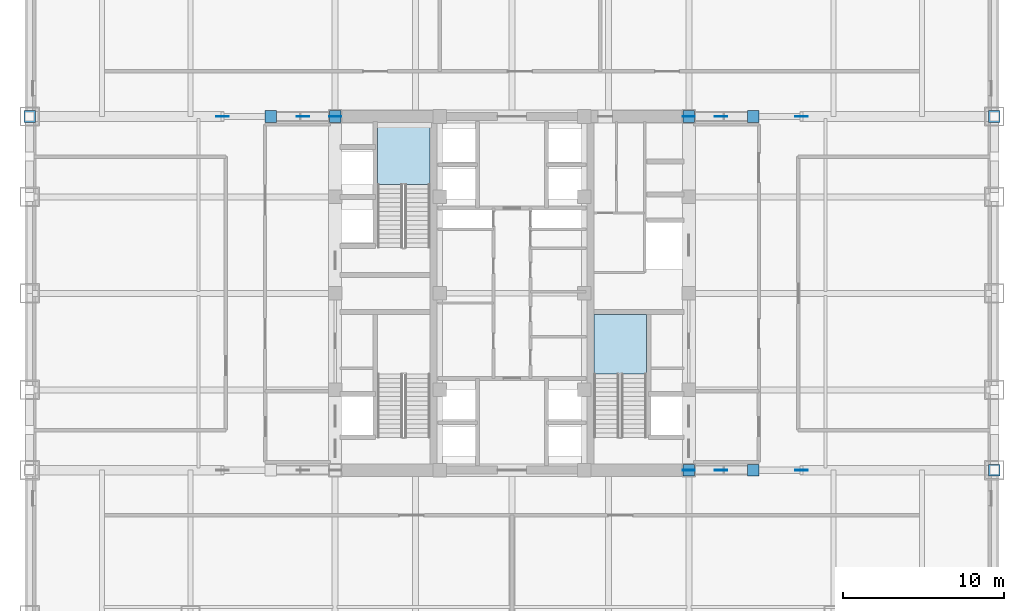
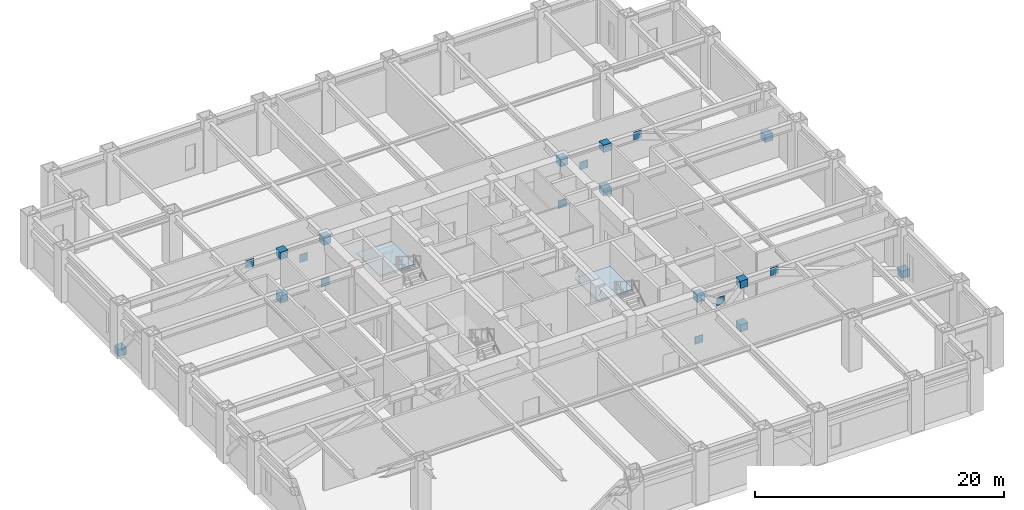
# One storey, part 5 of 12: 21 plates, 2 slabs, 2 elements without a shape of their own.
"""IFC4 building model written with IfcOpenShell, lengths in metres."""

import ifcopenshell
import ifcopenshell.guid

model = None  # the IFC model being written
_history = None  # IfcOwnerHistory: only IFC2X3 demands one
_inside = {}  # id of a spatial element -> (the spatial element, [elements in it])
_under = {}  # id of a project, library or spatial element -> (it, [spatial elements below it])
_declared = {}  # id of a project -> (the project, [libraries it declares])
_typed = {}  # id of a type object -> (the type object, [elements of that type])
_made_of = {}  # id of a material, layer set ... -> (it, [elements and type objects made of it])


def new_model(schema):
    """Start an empty IFC model of exactly this schema.

    Asked for "IFC4X3", IfcOpenShell would pick the latest addendum, in which some entities
    have other attributes; the version numbers below select the first issue.
    IFC2X3 requires an IfcOwnerHistory on every rooted entity: one is made here for all.
    """
    global model, _history
    if schema == "IFC4X3":
        model = ifcopenshell.file(schema_version=(4, 3, 0, 0))
    else:
        model = ifcopenshell.file(schema=schema)
    _inside.clear()
    _under.clear()
    _declared.clear()
    _typed.clear()
    _made_of.clear()
    _history = None
    if model.schema == "IFC2X3":
        org = make("IfcOrganization", Name="unknown")
        user = make(
            "IfcPersonAndOrganization",
            ThePerson=make("IfcPerson", FamilyName="unknown"),
            TheOrganization=org,
        )
        app = make(
            "IfcApplication",
            ApplicationDeveloper=org,
            Version="unknown",
            ApplicationFullName="unknown",
            ApplicationIdentifier="unknown",
        )
        _history = make(
            "IfcOwnerHistory",
            OwningUser=user,
            OwningApplication=app,
            ChangeAction="ADDED",
            CreationDate=0,
        )
    return model


def make(cls, **values):
    """One entity of the class cls with the attributes given. An attribute that is None is left unset."""
    return model.create_entity(
        cls, **{name: value for name, value in values.items() if value is not None}
    )


def rooted(cls, **values):
    """An entity with a GlobalId (a new one), such as an element, a storey or a relation."""
    return make(cls, GlobalId=ifcopenshell.guid.new(), OwnerHistory=_history, **values)


def si_unit(unit_type, name, prefix=None):
    """IfcSIUnit, for example si_unit("LENGTHUNIT", "METRE", prefix="MILLI")."""
    return make("IfcSIUnit", UnitType=unit_type, Prefix=prefix, Name=name)


def assignment(units):
    """IfcUnitAssignment: the units of a project."""
    return None if units is None else make("IfcUnitAssignment", Units=units)


def point(xyz):
    """IfcCartesianPoint."""
    return None if xyz is None else make("IfcCartesianPoint", Coordinates=xyz)


def direction(xyz):
    """IfcDirection."""
    return None if xyz is None else make("IfcDirection", DirectionRatios=xyz)


def frame(location, z_axis=None, x_axis=None):
    """IfcAxis2Placement3D, a coordinate frame: its origin and axes. An axis left out is left unset."""
    return make(
        "IfcAxis2Placement3D",
        Location=point(location),
        Axis=direction(z_axis),
        RefDirection=direction(x_axis),
    )


def frame_2d(location, x_axis=None):
    """IfcAxis2Placement2D, a coordinate frame in the plane: its origin and x axis."""
    return make(
        "IfcAxis2Placement2D", Location=point(location), RefDirection=direction(x_axis)
    )


def origin():
    """The frame at (0, 0, 0) with its axes left unset."""
    return frame((0.0, 0.0, 0.0))


def origin_2d():
    """The frame at (0, 0) in the plane with its x axis left unset."""
    return frame_2d((0.0, 0.0))


def place(relative_to, where):
    """IfcLocalPlacement: puts the frame where relative to a parent placement (None: the world)."""
    return make(
        "IfcLocalPlacement", PlacementRelTo=relative_to, RelativePlacement=where
    )


def context(
    kind, dimensions, precision=None, world=None, true_north=None, identifier=None
):
    """IfcGeometricRepresentationContext, for example the 3D "Model" context."""
    return make(
        "IfcGeometricRepresentationContext",
        ContextIdentifier=identifier,
        ContextType=kind,
        CoordinateSpaceDimension=dimensions,
        Precision=precision,
        WorldCoordinateSystem=world,
        TrueNorth=true_north,
    )


def subcontext(parent, identifier, kind, view, scale=None):
    """IfcGeometricRepresentationSubContext, for example "Body" below "Model"."""
    return make(
        "IfcGeometricRepresentationSubContext",
        ContextIdentifier=identifier,
        ContextType=kind,
        ParentContext=parent,
        TargetScale=scale,
        TargetView=view,
    )


def project(units=None, contexts=None):
    """IfcProject with its units and contexts."""
    return rooted(
        "IfcProject",
        Name="project",
        RepresentationContexts=contexts,
        UnitsInContext=assignment(units),
    )


def spatial(cls, under=None, at=None, **own):
    """A site, building, storey or space (cls), placed at a placement, below another one or the project."""
    s = rooted(cls, ObjectPlacement=at, **own)
    if under is not None:
        _under.setdefault(under.id(), (under, []))[1].append(s)
    return s


def polyline(points):
    """IfcPolyline through the points."""
    return make("IfcPolyline", Points=[point(p) for p in points])


def profile(cls, at=None, kind="AREA", **sizes):
    """A parametric profile (cls). Its sizes go by their IFC names, for example OverallWidth=200.0."""
    return make(cls, ProfileType=kind, Position=at, **sizes)


def rectangle(**sizes):
    """IfcRectangleProfileDef."""
    return profile("IfcRectangleProfileDef", **sizes)


def outline(outer, holes=None, kind="AREA"):
    """IfcArbitraryClosedProfileDef: a profile drawn as a closed curve; with holes, ...WithVoids."""
    if holes is None:
        return make("IfcArbitraryClosedProfileDef", ProfileType=kind, OuterCurve=outer)
    return make(
        "IfcArbitraryProfileDefWithVoids",
        ProfileType=kind,
        OuterCurve=outer,
        InnerCurves=holes,
    )


def extrude(swept, where, along, depth):
    """IfcExtrudedAreaSolid: the profile swept, set in the frame where, extruded along a direction by depth."""
    return make(
        "IfcExtrudedAreaSolid",
        SweptArea=swept,
        Position=where,
        ExtrudedDirection=direction(along),
        Depth=depth,
    )


def shape(context_of_items, identifier, shape_type, items):
    """IfcShapeRepresentation: the items that make up one representation, for example the "Body"."""
    return make(
        "IfcShapeRepresentation",
        ContextOfItems=context_of_items,
        RepresentationIdentifier=identifier,
        RepresentationType=shape_type,
        Items=items,
    )


def source(mapping_origin, context_of_items, identifier, shape_type, items):
    """IfcRepresentationMap: a shape defined once, which mapped items show again and again."""
    return make(
        "IfcRepresentationMap",
        MappingOrigin=mapping_origin,
        MappedRepresentation=shape(context_of_items, identifier, shape_type, items),
    )


def transform(
    local_origin,
    x_axis=None,
    y_axis=None,
    z_axis=None,
    scale=None,
    scale2=None,
    scale3=None,
    uniform=True,
):
    """IfcCartesianTransformationOperator3D, or its non-uniform kind. x_axis, y_axis, z_axis: its Axis1, 2, 3."""
    if uniform:
        return make(
            "IfcCartesianTransformationOperator3D",
            Axis1=direction(x_axis),
            Axis2=direction(y_axis),
            LocalOrigin=point(local_origin),
            Scale=scale,
            Axis3=direction(z_axis),
        )
    return make(
        "IfcCartesianTransformationOperator3DnonUniform",
        Axis1=direction(x_axis),
        Axis2=direction(y_axis),
        LocalOrigin=point(local_origin),
        Scale=scale,
        Axis3=direction(z_axis),
        Scale2=scale2,
        Scale3=scale3,
    )


def mapped(mapping_source, mapping_target):
    """IfcMappedItem: shows the shape of a source again, moved by a transform."""
    return make(
        "IfcMappedItem", MappingSource=mapping_source, MappingTarget=mapping_target
    )


def material(Name=None, Category=None):
    """IfcMaterial."""
    return make("IfcMaterial", Name=Name, Category=Category)


def layer(
    of_material, thickness, ventilated=None, Name=None, Category=None, Priority=None
):
    """IfcMaterialLayer: one layer of a wall or slab, of a material (None: an air gap)."""
    return make(
        "IfcMaterialLayer",
        Material=of_material,
        LayerThickness=thickness,
        IsVentilated=ventilated,
        Name=Name,
        Category=Category,
        Priority=Priority,
    )


def layer_set(layers, Name=None):
    """IfcMaterialLayerSet."""
    return make("IfcMaterialLayerSet", MaterialLayers=layers, LayerSetName=Name)


def made_of(thing, what):
    """Note that an element or type object is made of a material, layer set ...; save() writes the relation."""
    if what is not None:
        _made_of.setdefault(what.id(), (what, []))[1].append(thing)
    return thing


def type_object(cls, material=None, **own):
    """A type object (cls), such as IfcWallType, which elements share."""
    return made_of(rooted(cls, **own), material)


def element(
    cls,
    number,
    at=None,
    inside=None,
    cuts=None,
    type_object=None,
    material=None,
    context=None,
    identifier="Body",
    shape_type=None,
    held_by="IfcProductDefinitionShape",
    body=None,
    shapes=None,
    **own,
):
    """One element of the class cls, such as IfcWall. Its Tag is "e" and its number.

    at: its placement. inside: the storey or other place that contains it. cuts: it is an
    opening in that element (IfcRelVoidsElement). A single representation is given by context,
    identifier, shape_type and body (its items); several are given by shapes. held_by: the class
    of the entity that holds the representations. save() writes the other relations.
    """
    e = rooted(cls, Tag="e%d" % number, ObjectPlacement=at, **own)
    if body is not None:
        shapes = [shape(context, identifier, shape_type, body)]
    if shapes is not None:
        e.Representation = make(held_by, Representations=shapes)
    if inside is not None:
        _inside.setdefault(inside.id(), (inside, []))[1].append(e)
    if cuts is not None:
        rooted(
            "IfcRelVoidsElement", RelatingBuildingElement=cuts, RelatedOpeningElement=e
        )
    if type_object is not None:
        _typed.setdefault(type_object.id(), (type_object, []))[1].append(e)
    return made_of(e, material)


def aggregate(whole, parts):
    """IfcRelAggregates: a whole, such as a stair, and the parts it consists of."""
    return rooted("IfcRelAggregates", RelatingObject=whole, RelatedObjects=parts)


def save(model, path):
    """Write the relations noted so far, then the file.

    IfcRelAggregates (storeys below a building ...), IfcRelContainedInSpatialStructure (elements
    in a storey), IfcRelDefinesByType, IfcRelAssociatesMaterial and IfcRelDeclares: one each for
    every whole, place, type object, material and project.
    """
    for whole, parts in _under.values():
        aggregate(whole, parts)
    for where, things in _inside.values():
        rooted(
            "IfcRelContainedInSpatialStructure",
            RelatedElements=things,
            RelatingStructure=where,
        )
    for kind, things in _typed.values():
        rooted("IfcRelDefinesByType", RelatedObjects=things, RelatingType=kind)
    for what, things in _made_of.values():
        rooted("IfcRelAssociatesMaterial", RelatedObjects=things, RelatingMaterial=what)
    for by, libraries in _declared.values():
        rooted("IfcRelDeclares", RelatingContext=by, RelatedDefinitions=libraries)
    model.write(path)


model = new_model("IFC4")

# Units and contexts
model_context = context("Model", 3, precision=1e-05, world=origin(), true_north=direction((0.0, 1.0)))
body_context = subcontext(model_context, "Body", "Model", "MODEL_VIEW")
ifc_project = project(units=[si_unit("LENGTHUNIT", "METRE"), si_unit("AREAUNIT", "SQUARE_METRE"), si_unit("VOLUMEUNIT", "CUBIC_METRE"), si_unit("PLANEANGLEUNIT", "RADIAN"), si_unit("MASSUNIT", "GRAM", prefix="KILO")], contexts=[model_context])

# Site, building, storey
site_placement = place(None, origin())
site = spatial("IfcSite", under=ifc_project, at=site_placement, CompositionType="ELEMENT")
building_placement = place(site_placement, origin())
building = spatial("IfcBuilding", under=site, at=building_placement, Name="Khorayat Bourse Tower", CompositionType="ELEMENT")
storey_placement = place(building_placement, frame((0.0, 0.0, 149.89990234375)))
storey = spatial("IfcBuildingStorey", under=building, at=storey_placement, Name="L34", CompositionType="ELEMENT", Elevation=149.89990234375)

# Stair, slab
ifc_material_1 = material(Name="Concrete C40/50", Category="concrete")
stair_type = type_object("IfcStairType", Name="STR-CORE-1550", PredefinedType="HALF_TURN_STAIR", material=ifc_material_1)
stair_1_placement = place(storey_placement, origin())
stair_1 = element("IfcStair", 1, at=stair_1_placement, inside=storey, type_object=stair_type, Name="L34 Exit Stair ST-2", PredefinedType="HALF_TURN_STAIR")
ifc_layer_1 = layer(ifc_material_1, 0.199951171875)
ifc_layer_set_1 = layer_set([ifc_layer_1], Name="Concrete C40/50")
slab_type = type_object("IfcSlabType", Name="SLB-LANDING-200", PredefinedType="LANDING", material=ifc_layer_set_1)
slab_1_placement = place(storey_placement, frame((0.0, 0.0, 2.400146484375)))
slab_1 = element("IfcSlab", 2, at=slab_1_placement, type_object=slab_type, Name="ST-2 landing 1", PredefinedType="LANDING", context=body_context, shape_type="SweptSolid", body=[
    extrude(outline(polyline([(-5.10009765625, 6.77001953125), (-5.10009765625, 10.5), (-8.35009765625, 10.5), (-8.35009765625, 6.77001953125), (-5.10009765625, 6.77001953125)])), origin(), (0.0, 0.0, 1.0), 0.199951171875),
])
aggregate(stair_1, [slab_1])

stair_2_placement = place(storey_placement, origin())
stair_2 = element("IfcStair", 3, at=stair_2_placement, inside=storey, type_object=stair_type, Name="L34 Exit Stair ST-3", PredefinedType="HALF_TURN_STAIR")
slab_2_placement = place(storey_placement, frame((0.0, 0.0, 2.400146484375)))
slab_2 = element("IfcSlab", 4, at=slab_2_placement, type_object=slab_type, Name="ST-3 landing 1", PredefinedType="LANDING", context=body_context, shape_type="SweptSolid", body=[
    extrude(outline(polyline([(8.35009765625, -5.030029296875), (8.35009765625, -1.300048828125), (5.10009765625, -1.300048828125), (5.10009765625, -5.030029296875), (8.35009765625, -5.030029296875)])), origin(), (0.0, 0.0, 1.0), 0.199951171875),
])
aggregate(stair_2, [slab_2])

# Plates
ifc_material_2 = material(Name="Steel EN 10025-4 S460M", Category="steel")
ifc_layer_2 = layer(ifc_material_2, 0.0400390625)
ifc_layer_set_2 = layer_set([ifc_layer_2], Name="Steel EN 10025-4 S460M")
plate_type_1 = type_object("IfcPlateType", Name="PLT-GUSSET-40", PredefinedType="USERDEFINED", material=ifc_layer_set_2)
shared_shape_1 = source(origin(), body_context, "Body", "SweptSolid", [
    extrude(rectangle(XDim=0.760009765625, YDim=0.0400390625, at=origin_2d()), origin(), (0.0, 0.0, 1.0), 0.760009765625),
])
for number, where, z_axis, x_axis, name in (
    (5, (-11.0, 11.0, -0.02978515625), (0.0, 0.0, 1.0), (1.0, 0.0, 0.0), "L34 Outrigger Node Gusset Plate 08"),
    (6, (-18.0, 11.0, 4.25), (0.0, 0.0, 1.0), (1.0, 0.0, 0.0), "L34 Outrigger Node Gusset Plate 10"),
    (7, (-13.0, 11.0, 3.0703125), (0.0, 0.0, 1.0), (1.0, 0.0, 0.0), "L34 Outrigger X-Crossing Central Gusset Plate 12"),
    (8, (11.0, -11.0, -0.02978515625), (0.0, 0.0, 1.0), (1.0, 0.0, 0.0), "L34 Outrigger Node Gusset Plate 15"),
    (9, (18.0, -11.0, 4.25), (0.0, 0.0, 1.0), (1.0, 0.0, 0.0), "L34 Outrigger Node Gusset Plate 17"),
    (10, (13.0, -11.0, 3.0703125), (0.0, 0.0, 1.0), (1.0, 0.0, 0.0), "L34 Outrigger X-Crossing Central Gusset Plate 19"),
    (11, (11.0, 11.0, -0.02978515625), (0.0, 0.0, 1.0), (1.0, 0.0, 0.0), "L34 Outrigger Node Gusset Plate 22"),
    (12, (18.0, 11.0, 4.25), (0.0, 0.0, 1.0), (1.0, 0.0, 0.0), "L34 Outrigger Node Gusset Plate 24"),
    (13, (13.0, 11.0, 3.0703125), (0.0, 0.0, 1.0), (1.0, 0.0, 0.0), "L34 Outrigger X-Crossing Central Gusset Plate 26"),
):
    element("IfcPlate", number, at=place(storey_placement, frame(where, z_axis=z_axis, x_axis=x_axis)), inside=storey, type_object=plate_type_1, Name=name, ObjectType="GUSSET PLATE", PredefinedType="USERDEFINED", context=body_context, shape_type="MappedRepresentation", body=[
        mapped(shared_shape_1, transform((0.0, 0.0, 0.0), scale=1.0)),
    ])
ifc_layer_3 = layer(ifc_material_2, 0.031982421875)
ifc_layer_set_3 = layer_set([ifc_layer_3], Name="Steel EN 10025-4 S460M")
plate_type_2 = type_object("IfcPlateType", Name="PLT-GUSSET-32", PredefinedType="USERDEFINED", material=ifc_layer_set_3)
shared_shape_2 = source(origin(), body_context, "Body", "SweptSolid", [
    extrude(rectangle(XDim=0.719970703125, YDim=0.719970703125, at=origin_2d()), origin(), (0.0, 0.0, 1.0), 0.719970703125),
])
for number, where, z_axis, x_axis, name in (
    (14, (-15.0, 11.0, 4.27001953125), (0.0, 0.0, 1.0), (1.0, 0.0, 0.0), "L34 Outrigger Node Gusset Plate 09"),
    (15, (-30.0, 11.0, -0.009765625), (0.0, 0.0, 1.0), (1.0, 0.0, 0.0), "L34 Outrigger Node Gusset Plate 11"),
    (16, (-11.0, 11.0, 4.27001953125), (0.0, 0.0, 1.0), (1.0, 0.0, 0.0), "L34 Belt Web Sealed Node Block 13"),
    (17, (-15.0, 11.0, -0.009765625), (0.0, 0.0, 1.0), (1.0, 0.0, 0.0), "L34 Belt Web Sealed Node Block 14"),
    (18, (15.0, -11.0, 4.27001953125), (0.0, 0.0, 1.0), (1.0, 0.0, 0.0), "L34 Outrigger Node Gusset Plate 16"),
    (19, (30.0, -11.0, -0.009765625), (0.0, 0.0, 1.0), (1.0, 0.0, 0.0), "L34 Outrigger Node Gusset Plate 18"),
    (20, (11.0, -11.0, 4.27001953125), (0.0, 0.0, 1.0), (1.0, 0.0, 0.0), "L34 Belt Web Sealed Node Block 20"),
    (21, (15.0, -11.0, -0.009765625), (0.0, 0.0, 1.0), (1.0, 0.0, 0.0), "L34 Belt Web Sealed Node Block 21"),
    (22, (15.0, 11.0, 4.27001953125), (0.0, 0.0, 1.0), (1.0, 0.0, 0.0), "L34 Outrigger Node Gusset Plate 23"),
    (23, (30.0, 11.0, -0.009765625), (0.0, 0.0, 1.0), (1.0, 0.0, 0.0), "L34 Outrigger Node Gusset Plate 25"),
    (24, (11.0, 11.0, 4.27001953125), (0.0, 0.0, 1.0), (1.0, 0.0, 0.0), "L34 Belt Web Sealed Node Block 27"),
    (25, (15.0, 11.0, -0.009765625), (0.0, 0.0, 1.0), (1.0, 0.0, 0.0), "L34 Belt Web Sealed Node Block 28"),
):
    element("IfcPlate", number, at=place(storey_placement, frame(where, z_axis=z_axis, x_axis=x_axis)), inside=storey, type_object=plate_type_2, Name=name, ObjectType="GUSSET PLATE", PredefinedType="USERDEFINED", context=body_context, shape_type="MappedRepresentation", body=[
        mapped(shared_shape_2, transform((0.0, 0.0, 0.0), scale=1.0)),
    ])

save(model, "model.ifc")
